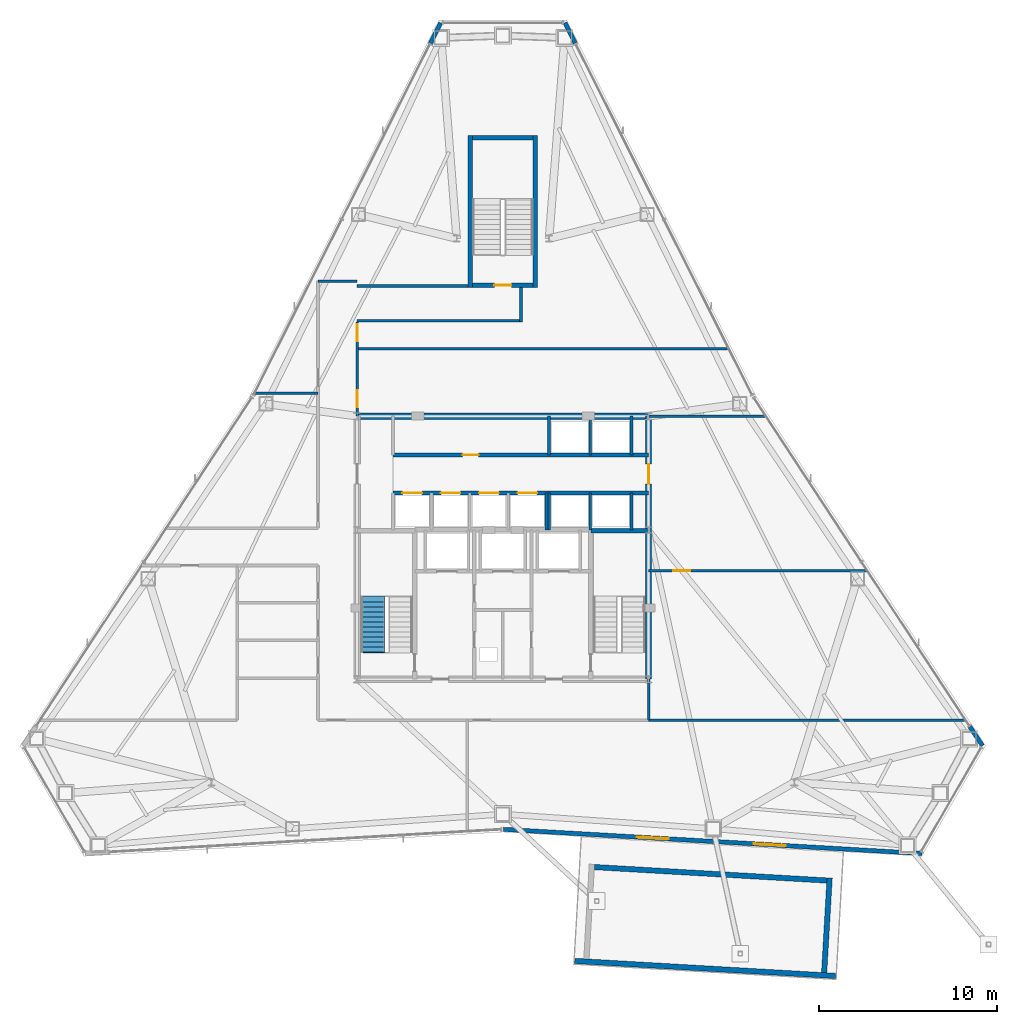
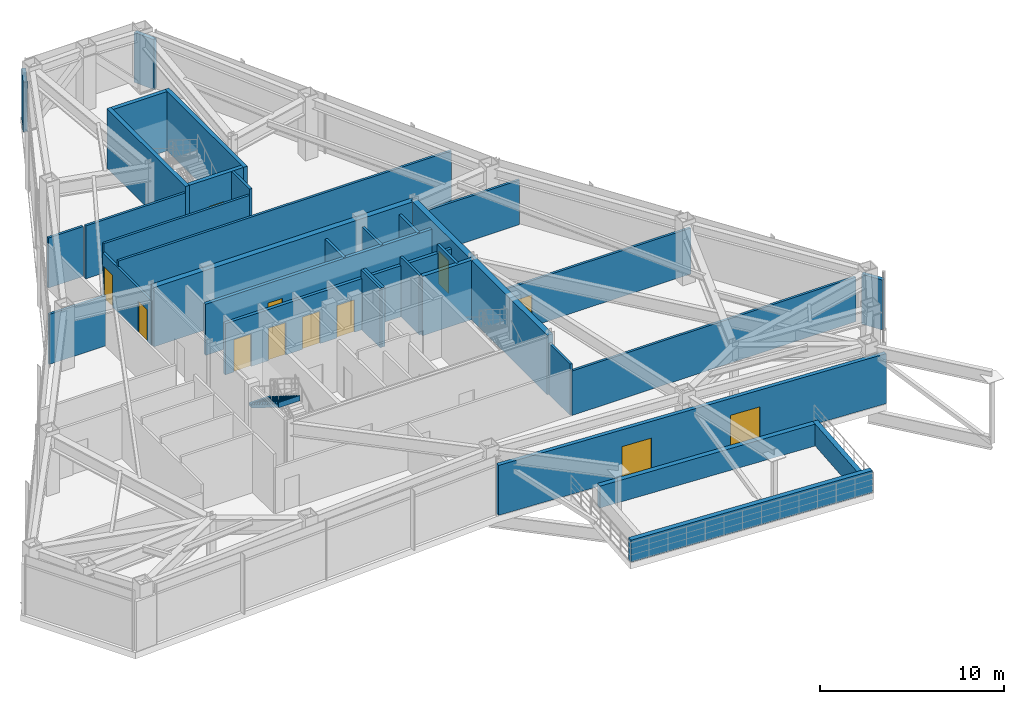
# One storey, part 10 of 13: 34 walls, 12 doors, 1 stair flight, 12 openings, 1 element without a shape of its own.
"""IFC4 building model written with IfcOpenShell, lengths in metres."""

from ifc_helpers import new_model, si_unit, direction, frame, frame_2d, origin, place, context, subcontext, project, spatial, polyline, rectangle, outline, extrude, material, layer, layer_set, type_object, element, fill, aggregate, save


model = new_model("IFC4")

# Units and contexts
model_context = context("Model", 3, precision=1e-05, world=origin(), true_north=direction((0.0, 1.0)))
body_context = subcontext(model_context, "Body", "Model", "MODEL_VIEW")
ifc_project = project(units=[si_unit("LENGTHUNIT", "METRE"), si_unit("AREAUNIT", "SQUARE_METRE"), si_unit("VOLUMEUNIT", "CUBIC_METRE"), si_unit("PLANEANGLEUNIT", "RADIAN"), si_unit("MASSUNIT", "GRAM", prefix="KILO")], contexts=[model_context])

# Site, building, storey
site_placement = place(None, origin())
site = spatial("IfcSite", under=ifc_project, at=site_placement, CompositionType="ELEMENT")
building_placement = place(site_placement, origin())
building = spatial("IfcBuilding", under=site, at=building_placement, Name="Varakhsha Concourse Tower", CompositionType="ELEMENT")
storey_placement = place(building_placement, frame((0.0, 0.0, 196.5)))
storey = spatial("IfcBuildingStorey", under=building, at=storey_placement, Name="L56", CompositionType="ELEMENT", Elevation=196.5)

# Wall
ifc_material_1 = material(Name="Concrete fc 65 MPa", Category="concrete")
ifc_layer_1 = layer(ifc_material_1, 0.35009765625, Name="WL-CORE-350")
ifc_layer_set_1 = layer_set([ifc_layer_1], Name="Concrete fc 65 MPa")
wall_type_1 = type_object("IfcWallType", Name="WL-CORE-350", PredefinedType="SHEAR", material=ifc_layer_set_1)
wall_1_placement = place(storey_placement, frame((31.800048828125, 31.199951171875, 0.0), z_axis=(0.0, 0.0, 1.0), x_axis=(1.0, 0.0, 0.0)))
element("IfcWall", 1, at=wall_1_placement, inside=storey, type_object=wall_type_1, Name="L56 Wall CWALL-N-L56", PredefinedType="SHEAR", context=body_context, shape_type="SweptSolid", body=[
    extrude(rectangle(XDim=16.39990234375, YDim=0.35009765625, at=frame_2d((8.199951171875, 0.0))), origin(), (0.0, 0.0, 1.0), 3.93994140625),
])

# Wall, opening, door
wall_2_placement = place(storey_placement, frame((48.199951171875, 16.39990234375, 0.0), z_axis=(0.0, 0.0, 1.0), x_axis=(0.0, 1.0, 0.0)))
wall_2 = element("IfcWall", 2, at=wall_2_placement, inside=storey, type_object=wall_type_1, Name="L56 Wall CWALL-E-L56", PredefinedType="SHEAR", context=body_context, shape_type="SweptSolid", body=[
    extrude(rectangle(XDim=14.800048828125, YDim=0.35009765625, at=frame_2d((7.39990234375, 0.0))), origin(), (0.0, 0.0, 1.0), 3.93994140625),
])
opening_1_placement = place(wall_2_placement, frame((11.0, 0.0, 0.0)))
opening_1 = element("IfcOpeningElement", 3, at=opening_1_placement, cuts=wall_2, Name="Opening DL-01", PredefinedType="OPENING", context=body_context, shape_type="SweptSolid", body=[
    extrude(rectangle(XDim=1.10009765625, YDim=2.14990234375, at=frame_2d((0.550048828125, 1.074951171875))), frame((0.0, 0.18505859375, 0.0), z_axis=(0.0, -1.0, 0.0), x_axis=(1.0, 0.0, 0.0)), (0.0, 0.0, 1.0), 0.3701171875),
])
ifc_material_2 = material(Name="Anodised Bronze Architectural Aluminium AA 6063-T6", Category="aluminium")
door_type_1 = type_object("IfcDoorType", Name="DR-LOB-1100", OperationType="NOTDEFINED", PredefinedType="DOOR", material=ifc_material_2)
door_1_placement = place(opening_1_placement, origin())
door_1 = element("IfcDoor", 4, at=door_1_placement, inside=storey, type_object=door_type_1, Name="L56 Lift Lobby East Concourse Door", OperationType="SINGLE_SWING_RIGHT", OverallHeight=2.14990234375, OverallWidth=1.10009765625, PredefinedType="DOOR", context=body_context, shape_type="SweptSolid", body=[
    extrude(rectangle(XDim=1.10009765625, YDim=2.14990234375, at=frame_2d((0.550048828125, 1.074951171875))), frame((0.0, 0.02490234375, 0.0), z_axis=(0.0, -1.0, 0.0), x_axis=(1.0, 0.0, 0.0)), (0.0, 0.0, 1.0), 0.050048828125),
])
fill(opening_1, door_1)

# Wall
ifc_material_3 = material(Name="Concrete fc 45 MPa", Category="concrete")
ifc_layer_2 = layer(ifc_material_3, 0.239990234375, Name="WL-EXT-CRN-240")
ifc_layer_set_2 = layer_set([ifc_layer_2], Name="Concrete fc 45 MPa")
wall_type_2 = type_object("IfcWallType", Name="WL-EXT-CRN-240", PredefinedType="SHEAR", material=ifc_layer_set_2)
wall_3_placement = place(storey_placement, frame((36.500244140625, 53.34130859375, 0.0), z_axis=(0.0, 0.0, 1.0), x_axis=(-0.449101165297, -0.893480913802, 0.0)))
element("IfcWall", 5, at=wall_3_placement, inside=storey, type_object=wall_type_2, Name="L56 Wind-Corner Shoulder Wall F2", PredefinedType="SHEAR", context=body_context, shape_type="SweptSolid", body=[
    extrude(rectangle(XDim=1.292724609375, YDim=0.239990234375, at=frame_2d((0.646484375, 0.0))), origin(), (0.0, 0.0, 1.0), 3.31298828125),
])

# Wall, openings, doors
wall_4_placement = place(storey_placement, frame((63.581787109375, 6.593017578125, 0.0), z_axis=(0.0, 0.0, 1.0), x_axis=(-0.998337343027, 0.057641560683, 0.0)))
wall_4 = element("IfcWall", 6, at=wall_4_placement, inside=storey, type_object=wall_type_2, Name="L56 Sky Pool Terrace Access Wall", PredefinedType="SHEAR", context=body_context, shape_type="SweptSolid", body=[
    extrude(rectangle(XDim=23.591796875, YDim=0.239990234375, at=frame_2d((11.7958984375, 0.0))), origin(), (0.0, 0.0, 1.0), 3.31298828125),
])
opening_2_placement = place(wall_4_placement, frame((7.676025390625, 0.0, 0.0)))
opening_2 = element("IfcOpeningElement", 7, at=opening_2_placement, cuts=wall_4, Name="Opening DT-01", PredefinedType="OPENING", context=body_context, shape_type="SweptSolid", body=[
    extrude(rectangle(XDim=1.800048828125, YDim=2.199951171875, at=frame_2d((0.89990234375, 1.10009765625))), frame((0.0, 0.1298828125, 0.0), z_axis=(0.0, -1.0, 0.0), x_axis=(1.0, 0.0, 0.0)), (0.0, 0.0, 1.0), 0.260009765625),
])
opening_3_placement = place(wall_4_placement, frame((14.27587890625, 0.0, 0.0)))
opening_3 = element("IfcOpeningElement", 8, at=opening_3_placement, cuts=wall_4, Name="Opening DT-01", PredefinedType="OPENING", context=body_context, shape_type="SweptSolid", body=[
    extrude(rectangle(XDim=1.800048828125, YDim=2.199951171875, at=frame_2d((0.89990234375, 1.10009765625))), frame((0.0, 0.1298828125, 0.0), z_axis=(0.0, -1.0, 0.0), x_axis=(1.0, 0.0, 0.0)), (0.0, 0.0, 1.0), 0.260009765625),
])
door_type_2 = type_object("IfcDoorType", Name="DR-TERR-1800", OperationType="DOUBLE_DOOR_SINGLE_SWING", PredefinedType="DOOR", material=ifc_material_2)
door_2_placement = place(opening_2_placement, origin())
door_2 = element("IfcDoor", 9, at=door_2_placement, inside=storey, type_object=door_type_2, Name="L56 Sky Pool Deck Double Door 1", OperationType="SINGLE_SWING_LEFT", OverallHeight=2.199951171875, OverallWidth=1.800048828125, PredefinedType="DOOR", context=body_context, shape_type="SweptSolid", body=[
    extrude(rectangle(XDim=1.800048828125, YDim=2.199951171875, at=frame_2d((0.89990234375, 1.10009765625))), frame((0.0, 0.02490234375, 0.0), z_axis=(0.0, -1.0, 0.0), x_axis=(1.0, 0.0, 0.0)), (0.0, 0.0, 1.0), 0.050048828125),
])
fill(opening_2, door_2)
door_3_placement = place(opening_3_placement, origin())
door_3 = element("IfcDoor", 10, at=door_3_placement, inside=storey, type_object=door_type_2, Name="L56 Sky Pool Deck Double Door 2", OperationType="SINGLE_SWING_LEFT", OverallHeight=2.199951171875, OverallWidth=1.800048828125, PredefinedType="DOOR", context=body_context, shape_type="SweptSolid", body=[
    extrude(rectangle(XDim=1.800048828125, YDim=2.199951171875, at=frame_2d((0.89990234375, 1.10009765625))), frame((0.0, 0.02490234375, 0.0), z_axis=(0.0, -1.0, 0.0), x_axis=(1.0, 0.0, 0.0)), (0.0, 0.0, 1.0), 0.050048828125),
])
fill(opening_3, door_3)

# Walls
wall_5_placement = place(storey_placement, frame((66.98681640625, 12.66015625, 0.0), z_axis=(0.0, 0.0, 1.0), x_axis=(-0.549064814004, 0.835779773638, 0.0)))
element("IfcWall", 11, at=wall_5_placement, inside=storey, type_object=wall_type_2, Name="L56 Wind-Corner Shoulder Wall F8", PredefinedType="SHEAR", context=body_context, shape_type="SweptSolid", body=[
    extrude(rectangle(XDim=1.29248046875, YDim=0.239990234375, at=frame_2d((0.646240234375, 0.0))), origin(), (0.0, 0.0, 1.0), 3.31298828125),
])
wall_6_placement = place(storey_placement, frame((44.080322265625, 52.186279296875, 0.0), z_axis=(0.0, 0.0, 1.0), x_axis=(-0.449101165297, 0.893480913802, 0.0)))
element("IfcWall", 12, at=wall_6_placement, inside=storey, type_object=wall_type_2, Name="L56 Wind-Corner Shoulder Wall F9", PredefinedType="SHEAR", context=body_context, shape_type="SweptSolid", body=[
    extrude(rectangle(XDim=1.292724609375, YDim=0.239990234375, at=frame_2d((0.646484375, 0.0))), origin(), (0.0, 0.0, 1.0), 3.31298828125),
])
ifc_layer_3 = layer(ifc_material_3, 0.300048828125, Name="WL-EXT-POD-300")
ifc_layer_set_3 = layer_set([ifc_layer_3], Name="Concrete fc 45 MPa")
wall_type_3 = type_object("IfcWallType", Name="WL-EXT-POD-300", PredefinedType="STANDARD", material=ifc_layer_set_3)
wall_7_placement = place(storey_placement, frame((44.045166015625, 0.549072265625, 0.0), z_axis=(0.0, 0.0, 1.0), x_axis=(0.998337976021, -0.057630596343, 0.0)))
element("IfcWall", 13, at=wall_7_placement, inside=storey, type_object=wall_type_3, Name="L56 Sky Pool Basin Tip Wall", PredefinedType="STANDARD", context=body_context, shape_type="SweptSolid", body=[
    extrude(rectangle(XDim=14.699951171875, YDim=0.300048828125, at=frame_2d((7.35009765625, 0.0))), origin(), (0.0, 0.0, 1.0), 1.449951171875),
])
wall_8_placement = place(storey_placement, frame((45.1513671875, 5.8291015625, 0.0), z_axis=(0.0, 0.0, 1.0), x_axis=(0.998337220259, -0.057643686945, 0.0)))
element("IfcWall", 14, at=wall_8_placement, inside=storey, type_object=wall_type_3, Name="L56 Sky Pool Basin Inner End Wall", PredefinedType="STANDARD", context=body_context, shape_type="SweptSolid", body=[
    extrude(rectangle(XDim=13.099853515625, YDim=0.300048828125, at=frame_2d((6.5498046875, 0.0))), origin(), (0.0, 0.0, 1.0), 1.449951171875),
])
wall_9_placement = place(storey_placement, frame((58.387939453125, 5.215087890625, 0.0), z_axis=(0.0, 0.0, 1.0), x_axis=(-0.057659687079, -0.998336296288, 0.0)))
element("IfcWall", 15, at=wall_9_placement, inside=storey, type_object=wall_type_3, Name="L56 Sky Pool Basin Side Wall 2", PredefinedType="STANDARD", context=body_context, shape_type="SweptSolid", body=[
    extrude(rectangle(XDim=5.3349609375, YDim=0.300048828125, at=frame_2d((2.66748046875, 0.0))), origin(), (0.0, 0.0, 1.0), 1.449951171875),
])
ifc_material_4 = material(Name="Fire-Rated Type X Gypsum Partition Assembly", Category="gypsum")
ifc_layer_4 = layer(ifc_material_4, 0.14990234375, Name="WL-PART-150")
ifc_layer_set_4 = layer_set([ifc_layer_4], Name="Fire-Rated Type X Gypsum Partition Assembly")
wall_type_4 = type_object("IfcWallType", Name="WL-PART-150", PredefinedType="PARTITIONING", material=ifc_layer_set_4)
wall_10_placement = place(storey_placement, frame((48.199951171875, 14.10009765625, 0.0), z_axis=(0.0, 0.0, 1.0), x_axis=(0.0, 1.0, 0.0)))
element("IfcWall", 16, at=wall_10_placement, inside=storey, type_object=wall_type_4, Name="L56 Wall CRW-SE-L56", PredefinedType="PARTITIONING", context=body_context, shape_type="SweptSolid", body=[
    extrude(rectangle(XDim=2.2998046875, YDim=0.14990234375, at=frame_2d((1.14990234375, 0.0))), origin(), (0.0, 0.0, 1.0), 3.39501953125),
])

# Wall, openings, doors
wall_11_placement = place(storey_placement, frame((31.800048828125, 31.199951171875, 0.0), z_axis=(0.0, 0.0, 1.0), x_axis=(0.0, 1.0, 0.0)))
wall_11 = element("IfcWall", 17, at=wall_11_placement, inside=storey, type_object=wall_type_4, Name="L56 Wall CRW-NE-L56", PredefinedType="PARTITIONING", context=body_context, shape_type="SweptSolid", body=[
    extrude(rectangle(XDim=5.300048828125, YDim=0.14990234375, at=frame_2d((2.64990234375, 0.0))), origin(), (0.0, 0.0, 1.0), 2.955078125),
])
opening_4_placement = place(wall_11_placement, frame((0.5, 0.0, 0.0)))
opening_4 = element("IfcOpeningElement", 18, at=opening_4_placement, cuts=wall_11, Name="Opening DF-05", PredefinedType="OPENING", context=body_context, shape_type="SweptSolid", body=[
    extrude(rectangle(XDim=0.949951171875, YDim=2.10009765625, at=frame_2d((0.47509765625, 1.050048828125))), frame((0.0, 0.0849609375, 0.0), z_axis=(0.0, -1.0, 0.0), x_axis=(1.0, 0.0, 0.0)), (0.0, 0.0, 1.0), 0.169921875),
])
opening_5_placement = place(wall_11_placement, frame((4.22998046875, 0.0, 0.0)))
opening_5 = element("IfcOpeningElement", 19, at=opening_5_placement, cuts=wall_11, Name="Opening DF-05", PredefinedType="OPENING", context=body_context, shape_type="SweptSolid", body=[
    extrude(rectangle(XDim=0.949951171875, YDim=2.10009765625, at=frame_2d((0.47509765625, 1.050048828125))), frame((0.0, 0.0849609375, 0.0), z_axis=(0.0, -1.0, 0.0), x_axis=(1.0, 0.0, 0.0)), (0.0, 0.0, 1.0), 0.169921875),
])
ifc_material_5 = material(Name="Hollow Galvanised Steel Fire Door Assembly", Category="steel")
door_type_3 = type_object("IfcDoorType", Name="DR-FD60-950", OperationType="NOTDEFINED", PredefinedType="DOOR", material=ifc_material_5)
door_4_placement = place(opening_4_placement, origin())
door_4 = element("IfcDoor", 20, at=door_4_placement, inside=storey, type_object=door_type_3, Name="L56 Mountain View Poolside Wellness Boardroom L56-NE1 Door", OperationType="SINGLE_SWING_RIGHT", OverallHeight=2.10009765625, OverallWidth=0.949951171875, PredefinedType="DOOR", context=body_context, shape_type="SweptSolid", body=[
    extrude(rectangle(XDim=0.949951171875, YDim=2.10009765625, at=frame_2d((0.47509765625, 1.050048828125))), frame((0.0, 0.02490234375, 0.0), z_axis=(0.0, -1.0, 0.0), x_axis=(1.0, 0.0, 0.0)), (0.0, 0.0, 1.0), 0.050048828125),
])
fill(opening_4, door_4)
door_5_placement = place(opening_5_placement, origin())
door_5 = element("IfcDoor", 21, at=door_5_placement, inside=storey, type_object=door_type_3, Name="L56 Apex Sky Pool Amenity Lounge L56-NE2 Door", OperationType="SINGLE_SWING_RIGHT", OverallHeight=2.10009765625, OverallWidth=0.949951171875, PredefinedType="DOOR", context=body_context, shape_type="SweptSolid", body=[
    extrude(rectangle(XDim=0.949951171875, YDim=2.10009765625, at=frame_2d((0.47509765625, 1.050048828125))), frame((0.0, 0.02490234375, 0.0), z_axis=(0.0, -1.0, 0.0), x_axis=(1.0, 0.0, 0.0)), (0.0, 0.0, 1.0), 0.050048828125),
])
fill(opening_5, door_5)

# Walls
wall_12_placement = place(storey_placement, frame((29.60009765625, 38.800048828125, 0.0), z_axis=(0.0, 0.0, 1.0), x_axis=(1.0, 0.0, 0.0)))
element("IfcWall", 22, at=wall_12_placement, inside=storey, type_object=wall_type_4, Name="L56 Wall CRW-NCAP-L56", PredefinedType="PARTITIONING", context=body_context, shape_type="SweptSolid", body=[
    extrude(rectangle(XDim=2.199951171875, YDim=0.14990234375, at=frame_2d((1.10009765625, 0.0))), origin(), (0.0, 0.0, 1.0), 3.319091796875),
])
wall_13_placement = place(storey_placement, frame((26.025634765625, 32.5, 0.0), z_axis=(0.0, 0.0, 1.0), x_axis=(1.0, 0.0, 0.0)))
element("IfcWall", 23, at=wall_13_placement, inside=storey, type_object=wall_type_4, Name="L56 Wall ODIV-W1-L56", PredefinedType="PARTITIONING", context=body_context, shape_type="SweptSolid", body=[
    extrude(rectangle(XDim=3.574462890625, YDim=0.14990234375, at=frame_2d((1.787109375, 0.0))), origin(), (0.0, 0.0, 1.0), 3.319091796875),
])
wall_14_placement = place(storey_placement, frame((48.199951171875, 31.199951171875, 0.0), z_axis=(0.0, 0.0, 1.0), x_axis=(1.0, 0.0, 0.0)))
element("IfcWall", 24, at=wall_14_placement, inside=storey, type_object=wall_type_4, Name="L56 Wall ODIV-NEB-L56", PredefinedType="PARTITIONING", context=body_context, shape_type="SweptSolid", body=[
    extrude(rectangle(XDim=6.600830078125, YDim=0.14990234375, at=frame_2d((3.30029296875, 0.0))), origin(), (0.0, 0.0, 1.0), 2.955078125),
])
wall_15_placement = place(storey_placement, frame((31.800048828125, 35.0, 0.0), z_axis=(0.0, 0.0, 1.0), x_axis=(1.0, 0.0, 0.0)))
element("IfcWall", 25, at=wall_15_placement, inside=storey, type_object=wall_type_4, Name="L56 Wall ODIV-NE1-L56", PredefinedType="PARTITIONING", context=body_context, shape_type="SweptSolid", body=[
    extrude(rectangle(XDim=20.9169921875, YDim=0.14990234375, at=frame_2d((10.45849609375, 0.0))), origin(), (0.0, 0.0, 1.0), 3.319091796875),
])
wall_16_placement = place(storey_placement, frame((48.199951171875, 14.10009765625, 0.0), z_axis=(0.0, 0.0, 1.0), x_axis=(1.0, 0.0, 0.0)))
element("IfcWall", 26, at=wall_16_placement, inside=storey, type_object=wall_type_4, Name="L56 Wall ODIV-EB0-L56", PredefinedType="PARTITIONING", context=body_context, shape_type="SweptSolid", body=[
    extrude(rectangle(XDim=17.8349609375, YDim=0.14990234375, at=frame_2d((8.91748046875, 0.0))), origin(), (0.0, 0.0, 1.0), 2.955078125),
])

# Wall, opening, door
wall_17_placement = place(storey_placement, frame((48.199951171875, 22.5, 0.0), z_axis=(0.0, 0.0, 1.0), x_axis=(1.0, 0.0, 0.0)))
wall_17 = element("IfcWall", 27, at=wall_17_placement, inside=storey, type_object=wall_type_4, Name="L56 Wall ODIV-E1-L56", PredefinedType="PARTITIONING", context=body_context, shape_type="SweptSolid", body=[
    extrude(rectangle(XDim=12.31640625, YDim=0.14990234375, at=frame_2d((6.158203125, 0.0))), origin(), (0.0, 0.0, 1.0), 3.051025390625),
])
opening_6_placement = place(wall_17_placement, frame((1.39990234375, 0.0, 0.0)))
opening_6 = element("IfcOpeningElement", 28, at=opening_6_placement, cuts=wall_17, Name="Opening DF-05", PredefinedType="OPENING", context=body_context, shape_type="SweptSolid", body=[
    extrude(rectangle(XDim=0.949951171875, YDim=2.10009765625, at=frame_2d((0.47509765625, 1.050048828125))), frame((0.0, 0.0849609375, 0.0), z_axis=(0.0, -1.0, 0.0), x_axis=(1.0, 0.0, 0.0)), (0.0, 0.0, 1.0), 0.169921875),
])
door_6_placement = place(opening_6_placement, origin())
door_6 = element("IfcDoor", 29, at=door_6_placement, inside=storey, type_object=door_type_3, Name="L56 East Suite Interconnect Door 1", OperationType="SINGLE_SWING_LEFT", OverallHeight=2.10009765625, OverallWidth=0.949951171875, PredefinedType="DOOR", context=body_context, shape_type="SweptSolid", body=[
    extrude(rectangle(XDim=0.949951171875, YDim=2.10009765625, at=frame_2d((0.47509765625, 1.050048828125))), frame((0.0, 0.02490234375, 0.0), z_axis=(0.0, -1.0, 0.0), x_axis=(1.0, 0.0, 0.0)), (0.0, 0.0, 1.0), 0.050048828125),
])
fill(opening_6, door_6)

# Walls
wall_18_placement = place(storey_placement, frame((31.800048828125, 36.574951171875, 0.0), z_axis=(0.0, 0.0, 1.0), x_axis=(1.0, 0.0, 0.0)))
element("IfcWall", 30, at=wall_18_placement, inside=storey, type_object=wall_type_4, Name="L56 Wall STLK-S-L56", PredefinedType="PARTITIONING", context=body_context, shape_type="SweptSolid", body=[
    extrude(rectangle(XDim=9.14990234375, YDim=0.14990234375, at=frame_2d((4.574951171875, 0.0))), origin(), (0.0, 0.0, 1.0), 3.52294921875),
])
wall_19_placement = place(storey_placement, frame((31.800048828125, 38.52490234375, 0.0), z_axis=(0.0, 0.0, 1.0), x_axis=(1.0, 0.0, 0.0)))
element("IfcWall", 31, at=wall_19_placement, inside=storey, type_object=wall_type_4, Name="L56 Wall STLK-N-L56", PredefinedType="PARTITIONING", context=body_context, shape_type="SweptSolid", body=[
    extrude(rectangle(XDim=6.25, YDim=0.14990234375, at=frame_2d((3.125, 0.0))), origin(), (0.0, 0.0, 1.0), 3.52294921875),
])
wall_20_placement = place(storey_placement, frame((41.02490234375, 36.5, 0.0), z_axis=(0.0, 0.0, 1.0), x_axis=(0.0, 1.0, 0.0)))
element("IfcWall", 32, at=wall_20_placement, inside=storey, type_object=wall_type_4, Name="L56 Wall STLK-E-L56", PredefinedType="PARTITIONING", context=body_context, shape_type="SweptSolid", body=[
    extrude(rectangle(XDim=1.949951171875, YDim=0.14990234375, at=frame_2d((0.97509765625, 0.0))), origin(), (0.0, 0.0, 1.0), 3.93994140625),
])

# Wall, opening, door
ifc_layer_5 = layer(ifc_material_4, 0.199951171875, Name="WL-SHAFT-220")
ifc_layer_set_5 = layer_set([ifc_layer_5], Name="Fire-Rated Type X Gypsum Partition Assembly")
wall_type_5 = type_object("IfcWallType", Name="WL-SHAFT-220", PredefinedType="SOLIDWALL", material=ifc_layer_set_5)
wall_21_placement = place(storey_placement, frame((33.820068359375, 29.02001953125, 0.0), z_axis=(0.0, 0.0, 1.0), x_axis=(1.0, 0.0, 0.0)))
wall_21 = element("IfcWall", 33, at=wall_21_placement, inside=storey, type_object=wall_type_5, Name="L56 Wall PLW-N-L56", PredefinedType="SOLIDWALL", context=body_context, shape_type="SweptSolid", body=[
    extrude(rectangle(XDim=14.3798828125, YDim=0.199951171875, at=frame_2d((7.18994140625, 0.0))), origin(), (0.0, 0.0, 1.0), 3.39501953125),
])
opening_7_placement = place(wall_21_placement, frame((3.919921875, 0.0, 0.0)))
opening_7 = element("IfcOpeningElement", 34, at=opening_7_placement, cuts=wall_21, Name="Opening DF-06", PredefinedType="OPENING", context=body_context, shape_type="SweptSolid", body=[
    extrude(rectangle(XDim=0.89990234375, YDim=2.10009765625, at=frame_2d((0.449951171875, 1.050048828125))), frame((0.0, 0.10986328125, 0.0), z_axis=(0.0, -1.0, 0.0), x_axis=(1.0, 0.0, 0.0)), (0.0, 0.0, 1.0), 0.219970703125),
])
door_type_4 = type_object("IfcDoorType", Name="DR-FD60-900", OperationType="NOTDEFINED", PredefinedType="DOOR", material=ifc_material_5)
door_7_placement = place(opening_7_placement, origin())
door_7 = element("IfcDoor", 35, at=door_7_placement, inside=storey, type_object=door_type_4, Name="L56 Tenant Archive and IT Server Room Door", OperationType="SINGLE_SWING_LEFT", OverallHeight=2.10009765625, OverallWidth=0.89990234375, PredefinedType="DOOR", context=body_context, shape_type="SweptSolid", body=[
    extrude(rectangle(XDim=0.89990234375, YDim=2.10009765625, at=frame_2d((0.449951171875, 1.050048828125))), frame((0.0, 0.02490234375, 0.0), z_axis=(0.0, -1.0, 0.0), x_axis=(1.0, 0.0, 0.0)), (0.0, 0.0, 1.0), 0.050048828125),
])
fill(opening_7, door_7)

# Wall, openings, doors
wall_22_placement = place(storey_placement, frame((33.820068359375, 26.8798828125, 0.0), z_axis=(0.0, 0.0, 1.0), x_axis=(1.0, 0.0, 0.0)))
wall_22 = element("IfcWall", 36, at=wall_22_placement, inside=storey, type_object=wall_type_5, Name="L56 Wall PLW-S-L56", PredefinedType="SOLIDWALL", context=body_context, shape_type="SweptSolid", body=[
    extrude(rectangle(XDim=14.3798828125, YDim=0.199951171875, at=frame_2d((7.18994140625, 0.0))), origin(), (0.0, 0.0, 1.0), 3.39501953125),
])
opening_8_placement = place(wall_22_placement, frame((0.530029296875, 0.0, 0.0)))
opening_8 = element("IfcOpeningElement", 37, at=opening_8_placement, cuts=wall_22, Name="Opening LD-LF-P05", PredefinedType="OPENING", context=body_context, shape_type="SweptSolid", body=[
    extrude(rectangle(XDim=1.10009765625, YDim=2.14990234375, at=frame_2d((0.550048828125, 1.074951171875))), frame((0.0, 0.10986328125, 0.0), z_axis=(0.0, -1.0, 0.0), x_axis=(1.0, 0.0, 0.0)), (0.0, 0.0, 1.0), 0.219970703125),
])
opening_9_placement = place(wall_22_placement, frame((2.68994140625, 0.0, 0.0)))
opening_9 = element("IfcOpeningElement", 38, at=opening_9_placement, cuts=wall_22, Name="Opening LD-LF-P06", PredefinedType="OPENING", context=body_context, shape_type="SweptSolid", body=[
    extrude(rectangle(XDim=1.10009765625, YDim=2.14990234375, at=frame_2d((0.550048828125, 1.074951171875))), frame((0.0, 0.10986328125, 0.0), z_axis=(0.0, -1.0, 0.0), x_axis=(1.0, 0.0, 0.0)), (0.0, 0.0, 1.0), 0.219970703125),
])
opening_10_placement = place(wall_22_placement, frame((4.85009765625, 0.0, 0.0)))
opening_10 = element("IfcOpeningElement", 39, at=opening_10_placement, cuts=wall_22, Name="Opening LD-LF-P07", PredefinedType="OPENING", context=body_context, shape_type="SweptSolid", body=[
    extrude(rectangle(XDim=1.10009765625, YDim=2.14990234375, at=frame_2d((0.550048828125, 1.074951171875))), frame((0.0, 0.10986328125, 0.0), z_axis=(0.0, -1.0, 0.0), x_axis=(1.0, 0.0, 0.0)), (0.0, 0.0, 1.0), 0.219970703125),
])
opening_11_placement = place(wall_22_placement, frame((7.010009765625, 0.0, 0.0)))
opening_11 = element("IfcOpeningElement", 40, at=opening_11_placement, cuts=wall_22, Name="Opening LD-LF-P08", PredefinedType="OPENING", context=body_context, shape_type="SweptSolid", body=[
    extrude(rectangle(XDim=1.10009765625, YDim=2.14990234375, at=frame_2d((0.550048828125, 1.074951171875))), frame((0.0, 0.10986328125, 0.0), z_axis=(0.0, -1.0, 0.0), x_axis=(1.0, 0.0, 0.0)), (0.0, 0.0, 1.0), 0.219970703125),
])
ifc_material_6 = material(Name="Brushed Austenitic Stainless Steel AISI 316", Category="steel")
door_type_5 = type_object("IfcDoorType", Name="DR-LD-1100", OperationType="DOUBLE_DOOR_SLIDING", PredefinedType="DOOR", material=ifc_material_6)
door_8_placement = place(opening_8_placement, origin())
door_8 = element("IfcDoor", 41, at=door_8_placement, inside=storey, type_object=door_type_5, Name="Lift Landing Door LF-P05 L56", OperationType="DOUBLE_DOOR_SLIDING", OverallHeight=2.14990234375, OverallWidth=1.10009765625, PredefinedType="DOOR", context=body_context, shape_type="SweptSolid", body=[
    extrude(rectangle(XDim=1.10009765625, YDim=2.14990234375, at=frame_2d((0.550048828125, 1.074951171875))), frame((0.0, 0.02490234375, 0.0), z_axis=(0.0, -1.0, 0.0), x_axis=(1.0, 0.0, 0.0)), (0.0, 0.0, 1.0), 0.050048828125),
])
fill(opening_8, door_8)
door_9_placement = place(opening_9_placement, origin())
door_9 = element("IfcDoor", 42, at=door_9_placement, inside=storey, type_object=door_type_5, Name="Lift Landing Door LF-P06 L56", OperationType="DOUBLE_DOOR_SLIDING", OverallHeight=2.14990234375, OverallWidth=1.10009765625, PredefinedType="DOOR", context=body_context, shape_type="SweptSolid", body=[
    extrude(rectangle(XDim=1.10009765625, YDim=2.14990234375, at=frame_2d((0.550048828125, 1.074951171875))), frame((0.0, 0.02490234375, 0.0), z_axis=(0.0, -1.0, 0.0), x_axis=(1.0, 0.0, 0.0)), (0.0, 0.0, 1.0), 0.050048828125),
])
fill(opening_9, door_9)
door_10_placement = place(opening_10_placement, origin())
door_10 = element("IfcDoor", 43, at=door_10_placement, inside=storey, type_object=door_type_5, Name="Lift Landing Door LF-P07 L56", OperationType="DOUBLE_DOOR_SLIDING", OverallHeight=2.14990234375, OverallWidth=1.10009765625, PredefinedType="DOOR", context=body_context, shape_type="SweptSolid", body=[
    extrude(rectangle(XDim=1.10009765625, YDim=2.14990234375, at=frame_2d((0.550048828125, 1.074951171875))), frame((0.0, 0.02490234375, 0.0), z_axis=(0.0, -1.0, 0.0), x_axis=(1.0, 0.0, 0.0)), (0.0, 0.0, 1.0), 0.050048828125),
])
fill(opening_10, door_10)
door_11_placement = place(opening_11_placement, origin())
door_11 = element("IfcDoor", 44, at=door_11_placement, inside=storey, type_object=door_type_5, Name="Lift Landing Door LF-P08 L56", OperationType="DOUBLE_DOOR_SLIDING", OverallHeight=2.14990234375, OverallWidth=1.10009765625, PredefinedType="DOOR", context=body_context, shape_type="SweptSolid", body=[
    extrude(rectangle(XDim=1.10009765625, YDim=2.14990234375, at=frame_2d((0.550048828125, 1.074951171875))), frame((0.0, 0.02490234375, 0.0), z_axis=(0.0, -1.0, 0.0), x_axis=(1.0, 0.0, 0.0)), (0.0, 0.0, 1.0), 0.050048828125),
])
fill(opening_11, door_11)

# Walls
wall_23_placement = place(storey_placement, frame((42.4599609375, 24.800048828125, 0.0), z_axis=(0.0, 0.0, 1.0), x_axis=(0.0, 1.0, 0.0)))
element("IfcWall", 45, at=wall_23_placement, inside=storey, type_object=wall_type_5, Name="L56 Wall SHW-LF-P08-E-L56", PredefinedType="SOLIDWALL", context=body_context, shape_type="SweptSolid", body=[
    extrude(rectangle(XDim=2.079833984375, YDim=0.159912109375, at=frame_2d((1.0400390625, 0.0))), origin(), (0.0, 0.0, 1.0), 3.93994140625),
])
for number, where, z_axis, x_axis, name in (
    (46, (42.60009765625, 29.02001953125, 0.0), (0.0, 0.0, 1.0), (0.0, 1.0, 0.0), "L56 Wall SHW-LF-P09-W-L56"),
    (47, (44.919921875, 29.02001953125, 0.0), (0.0, 0.0, 1.0), (0.0, 1.0, 0.0), "L56 Wall SHW-LF-P09-E-L56"),
    (48, (47.239990234375, 29.02001953125, 0.0), (0.0, 0.0, 1.0), (0.0, 1.0, 0.0), "L56 Wall SHW-LF-P10-E-L56"),
):
    element("IfcWall", number, at=place(storey_placement, frame(where, z_axis=z_axis, x_axis=x_axis)), inside=storey, type_object=wall_type_5, Name=name, PredefinedType="SOLIDWALL", context=body_context, shape_type="SweptSolid", body=[
        extrude(rectangle(XDim=2.179931640625, YDim=0.159912109375, at=frame_2d((1.08984375, 0.0))), origin(), (0.0, 0.0, 1.0), 3.39501953125),
    ])
for number, where, z_axis, x_axis, name in (
    (49, (42.60009765625, 24.800048828125, 0.0), (0.0, 0.0, 1.0), (0.0, 1.0, 0.0), "L56 Wall SHW-LF-P11-W-L56"),
    (50, (44.919921875, 24.800048828125, 0.0), (0.0, 0.0, 1.0), (0.0, 1.0, 0.0), "L56 Wall SHW-LF-P11-E-L56"),
    (51, (47.239990234375, 24.800048828125, 0.0), (0.0, 0.0, 1.0), (0.0, 1.0, 0.0), "L56 Wall SHW-LF-P12-E-L56"),
):
    element("IfcWall", number, at=place(storey_placement, frame(where, z_axis=z_axis, x_axis=x_axis)), inside=storey, type_object=wall_type_5, Name=name, PredefinedType="SOLIDWALL", context=body_context, shape_type="SweptSolid", body=[
        extrude(rectangle(XDim=2.079833984375, YDim=0.159912109375, at=frame_2d((1.0400390625, 0.0))), origin(), (0.0, 0.0, 1.0), 3.93994140625),
    ])
ifc_layer_6 = layer(ifc_material_3, 0.25, Name="WL-STAIR-250")
ifc_layer_set_6 = layer_set([ifc_layer_6], Name="Concrete fc 45 MPa")
wall_type_6 = type_object("IfcWallType", Name="WL-STAIR-250", PredefinedType="SHEAR", material=ifc_layer_set_6)
wall_24_placement = place(storey_placement, frame((44.955078125, 24.7548828125, 0.0), z_axis=(0.0, 0.0, 1.0), x_axis=(1.0, 0.0, 0.0)))
element("IfcWall", 52, at=wall_24_placement, inside=storey, type_object=wall_type_6, Name="L56 Wall SWALL-ST2-N-L56", PredefinedType="SHEAR", context=body_context, shape_type="SweptSolid", body=[
    extrude(rectangle(XDim=3.244873046875, YDim=0.25, at=frame_2d((1.62255859375, 0.0))), origin(), (0.0, 0.0, 1.0), 3.93994140625),
])
for number, where, z_axis, x_axis, name in (
    (53, (38.175048828125, 38.449951171875, 0.0), (0.0, 0.0, 1.0), (0.0, 1.0, 0.0), "L56 Wall SWALL-ST5-W-L56"),
    (54, (41.824951171875, 38.449951171875, 0.0), (0.0, 0.0, 1.0), (0.0, 1.0, 0.0), "L56 Wall SWALL-ST5-E-L56"),
):
    element("IfcWall", number, at=place(storey_placement, frame(where, z_axis=z_axis, x_axis=x_axis)), inside=storey, type_object=wall_type_6, Name=name, PredefinedType="SHEAR", context=body_context, shape_type="SweptSolid", body=[
        extrude(rectangle(XDim=8.550048828125, YDim=0.25, at=frame_2d((4.27490234375, 0.0))), origin(), (0.0, 0.0, 1.0), 3.93994140625),
    ])

# Wall, opening, door
wall_25_placement = place(storey_placement, frame((38.300048828125, 38.574951171875, 0.0), z_axis=(0.0, 0.0, 1.0), x_axis=(1.0, 0.0, 0.0)))
wall_25 = element("IfcWall", 55, at=wall_25_placement, inside=storey, type_object=wall_type_6, Name="L56 Wall SWALL-ST5-S-L56", PredefinedType="SHEAR", context=body_context, shape_type="SweptSolid", body=[
    extrude(rectangle(XDim=3.39990234375, YDim=0.25, at=frame_2d((1.699951171875, 0.0))), origin(), (0.0, 0.0, 1.0), 3.93994140625),
])
opening_12_placement = place(wall_25_placement, frame((1.22509765625, 0.0, 0.0)))
opening_12 = element("IfcOpeningElement", 56, at=opening_12_placement, cuts=wall_25, Name="Opening DF-03", PredefinedType="OPENING", context=body_context, shape_type="SweptSolid", body=[
    extrude(rectangle(XDim=0.949951171875, YDim=2.10009765625, at=frame_2d((0.47509765625, 1.050048828125))), frame((0.0, 0.135009765625, 0.0), z_axis=(0.0, -1.0, 0.0), x_axis=(1.0, 0.0, 0.0)), (0.0, 0.0, 1.0), 0.27001953125),
])
door_type_6 = type_object("IfcDoorType", Name="DR-FD90-950", OperationType="NOTDEFINED", PredefinedType="DOOR", material=ifc_material_5)
door_12_placement = place(opening_12_placement, origin())
door_12 = element("IfcDoor", 57, at=door_12_placement, inside=storey, type_object=door_type_6, Name="L56 Stair ST5 Fire Door", OperationType="SINGLE_SWING_RIGHT", OverallHeight=2.10009765625, OverallWidth=0.949951171875, PredefinedType="DOOR", context=body_context, shape_type="SweptSolid", body=[
    extrude(rectangle(XDim=0.949951171875, YDim=2.10009765625, at=frame_2d((0.47509765625, 1.050048828125))), frame((0.0, 0.02490234375, 0.0), z_axis=(0.0, -1.0, 0.0), x_axis=(1.0, 0.0, 0.0)), (0.0, 0.0, 1.0), 0.050048828125),
])
fill(opening_12, door_12)

# Wall
wall_26_placement = place(storey_placement, frame((38.300048828125, 46.875, 0.0), z_axis=(0.0, 0.0, 1.0), x_axis=(1.0, 0.0, 0.0)))
element("IfcWall", 58, at=wall_26_placement, inside=storey, type_object=wall_type_6, Name="L56 Wall SWALL-ST5-N-L56", PredefinedType="SHEAR", context=body_context, shape_type="SweptSolid", body=[
    extrude(rectangle(XDim=3.39990234375, YDim=0.25, at=frame_2d((1.699951171875, 0.0))), origin(), (0.0, 0.0, 1.0), 3.93994140625),
])

# Stair, stair flight
stair_type = type_object("IfcStairType", Name="ST-DOGLEG-1360", PredefinedType="HALF_TURN_STAIR", material=ifc_material_3)
stair_placement = place(storey_placement, origin())
stair = element("IfcStair", 59, at=stair_placement, inside=storey, type_object=stair_type, Name="L56 Protected Exit Stair ST1", PredefinedType="HALF_TURN_STAIR")
stair_flight_type = type_object("IfcStairFlightType", Name="STF-1360-R1750", PredefinedType="STRAIGHT", material=ifc_material_3)
stair_flight_placement = place(storey_placement, frame((32.679931640625, 21.02001953125, 2.10009765625), z_axis=(0.0, 0.0, 1.0), x_axis=(0.0, -1.0, 0.0)))
stair_flight = element("IfcStairFlight", 60, at=stair_flight_placement, type_object=stair_flight_type, Name="ST1 flight 2", NumberOfRisers=12, NumberOfTreads=11, PredefinedType="STRAIGHT", RiserHeight=0.175, TreadLength=0.28, context=body_context, shape_type="SweptSolid", body=[
    extrude(outline(polyline([(-0.06005859375, 0.0), (-0.06005859375, 0.175048828125), (0.0, 0.175048828125), (0.280029296875, 0.175048828125), (0.280029296875, 0.35009765625), (0.56005859375, 0.35009765625), (0.56005859375, 0.52490234375), (0.840087890625, 0.52490234375), (0.840087890625, 0.699951171875), (1.1201171875, 0.699951171875), (1.1201171875, 0.875), (1.39990234375, 0.875), (1.39990234375, 1.050048828125), (1.679931640625, 1.050048828125), (1.679931640625, 1.22509765625), (1.9599609375, 1.22509765625), (1.9599609375, 1.39990234375), (2.239990234375, 1.39990234375), (2.239990234375, 1.574951171875), (2.52001953125, 1.574951171875), (2.52001953125, 1.75), (2.800048828125, 1.75), (2.800048828125, 1.925048828125), (3.080078125, 1.925048828125), (3.080078125, 2.10009765625), (3.139892578125, 2.10009765625), (3.139892578125, 1.748291015625), (3.080078125, 1.748291015625), (0.28271484375, 0.0), (-0.06005859375, 0.0)])), frame((0.0, 0.68017578125, 0.0), z_axis=(0.0, -1.0, 0.0), x_axis=(1.0, 0.0, 0.0)), (0.0, 0.0, 1.0), 1.360107421875),
])
aggregate(stair, [stair_flight])

save(model, "model.ifc")
